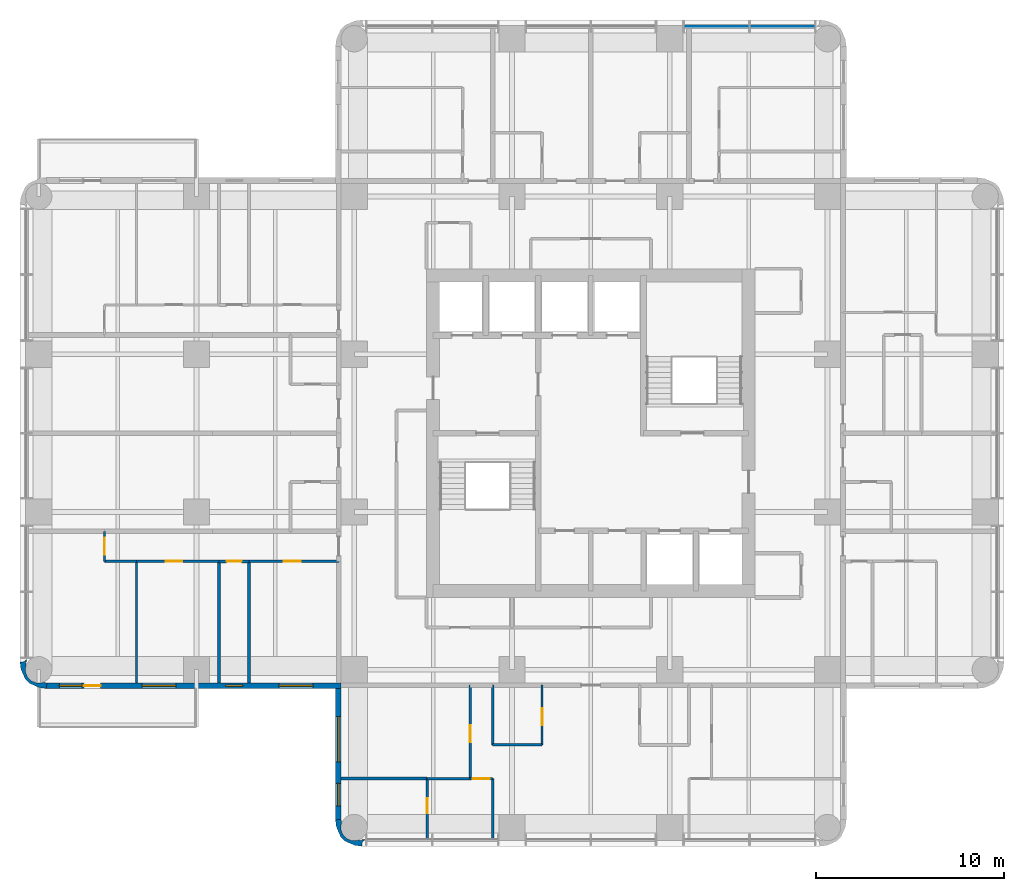
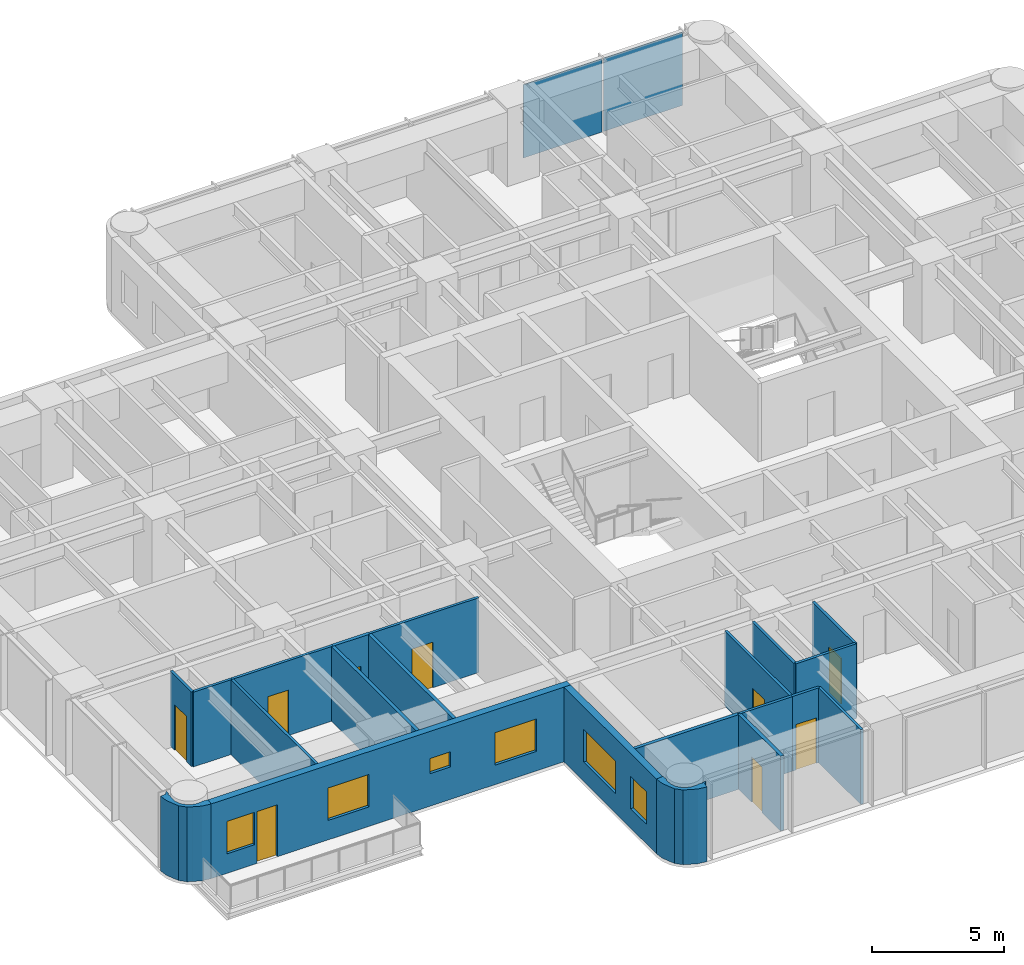
# One storey, part 4 of 11: 21 walls, 9 doors, 6 windows, 2 plates, 15 openings, 1 element without a shape of its own.
"""IFC4 building model written with IfcOpenShell, lengths in metres."""

from ifc_helpers import new_model, si_unit, direction, frame, frame_2d, origin, origin_2d, place, context, subcontext, project, spatial, polyline, rectangle, outline, extrude, material, layer, layer_set, type_object, element, fill, aggregate, save


model = new_model("IFC4")

# Units and contexts
model_context = context("Model", 3, precision=1e-05, world=origin(), true_north=direction((0.0, 1.0)))
body_context = subcontext(model_context, "Body", "Model", "MODEL_VIEW")
ifc_project = project(units=[si_unit("LENGTHUNIT", "METRE"), si_unit("AREAUNIT", "SQUARE_METRE"), si_unit("VOLUMEUNIT", "CUBIC_METRE"), si_unit("PLANEANGLEUNIT", "RADIAN"), si_unit("MASSUNIT", "GRAM", prefix="KILO")], contexts=[model_context])

# Site, building, storey
site_placement = place(None, origin())
site = spatial("IfcSite", under=ifc_project, at=site_placement, CompositionType="ELEMENT")
building_placement = place(site_placement, origin())
building = spatial("IfcBuilding", under=site, at=building_placement, Name="Torre Alcanfor", CompositionType="ELEMENT")
storey_placement = place(building_placement, frame((0.0, 0.0, 219.300048828125)))
storey = spatial("IfcBuildingStorey", under=building, at=storey_placement, Name="L57", CompositionType="ELEMENT", Elevation=219.300048828125)

# Curtain wall, plates
ifc_material_1 = material(Name="Aluminium and glass", Category="aluminium")
curtain_wall_type = type_object("IfcCurtainWallType", Name="CW-A unitised apartment glazing with vertical FIN", PredefinedType="NOTDEFINED", material=ifc_material_1)
curtain_wall_placement = place(storey_placement, origin())
curtain_wall = element("IfcCurtainWall", 1, at=curtain_wall_placement, inside=storey, type_object=curtain_wall_type, Name="Curtain wall CW-A L57 11", PredefinedType="NOTDEFINED")
ifc_material_2 = material(Name="Glass", Category="glass")
ifc_layer_1 = layer(ifc_material_2, 0.028076171875)
ifc_layer_set_1 = layer_set([ifc_layer_1], Name="CW-A clear double glazed unit")
plate_type = type_object("IfcPlateType", Name="CW-A clear double glazed unit", PredefinedType="CURTAIN_PANEL", material=ifc_layer_set_1)
plate_1_placement = place(storey_placement, frame((39.60107421875, 51.050048828125, 0.0), z_axis=(0.0, 0.0, 1.0), x_axis=(-1.0, 0.0, 0.0)))
plate_1 = element("IfcPlate", 2, at=plate_1_placement, type_object=plate_type, Name="CW-A panel 1.1.1", PredefinedType="CURTAIN_PANEL", context=body_context, shape_type="SweptSolid", body=[
    extrude(rectangle(XDim=3.444091796875, YDim=0.028076171875, at=origin_2d()), origin(), (0.0, 0.0, 1.0), 3.385009765625),
])
plate_2_placement = place(storey_placement, frame((36.092041015625, 51.050048828125, 0.0), z_axis=(0.0, 0.0, 1.0), x_axis=(-1.0, 0.0, 0.0)))
plate_2 = element("IfcPlate", 3, at=plate_2_placement, type_object=plate_type, Name="CW-A panel 1.2.1", PredefinedType="CURTAIN_PANEL", context=body_context, shape_type="SweptSolid", body=[
    extrude(rectangle(XDim=3.444091796875, YDim=0.028076171875, at=origin_2d()), origin(), (0.0, 0.0, 1.0), 3.385009765625),
])
aggregate(curtain_wall, [plate_1, plate_2])

# Wall, opening, door
ifc_material_3 = material(Name="Gypsum board on steel studs", Category="steel")
ifc_layer_2 = layer(ifc_material_3, 0.1201171875)
ifc_layer_set_2 = layer_set([ifc_layer_2], Name="Apartment partition 120")
wall_type_1 = type_object("IfcWallType", Name="Apartment partition 120", PredefinedType="PARTITIONING", material=ifc_layer_set_2)
wall_1_placement = place(storey_placement, frame((26.800048828125, 15.97509765625, 0.0), z_axis=(0.0, 0.0, 1.0), x_axis=(0.0, -1.0, 0.0)))
wall_1 = element("IfcWall", 4, at=wall_1_placement, inside=storey, type_object=wall_type_1, Name="Partition L57-SX-ZAG / L57-SX-KITCHEN", PredefinedType="PARTITIONING", context=body_context, shape_type="SweptSolid", body=[
    extrude(rectangle(XDim=3.175048828125, YDim=0.1201171875, at=frame_2d((1.58740234375, 0.0))), origin(), (0.0, 0.0, 1.0), 3.449951171875),
])
opening_1_placement = place(wall_1_placement, frame((1.22509765625, 0.0, 0.0)))
opening_1 = element("IfcOpeningElement", 5, at=opening_1_placement, cuts=wall_1, Name="Opening D-R1", PredefinedType="OPENING", context=body_context, shape_type="SweptSolid", body=[
    extrude(rectangle(XDim=0.89990234375, YDim=2.10009765625, at=frame_2d((0.449951171875, 1.050048828125))), frame((0.0, 0.070068359375, 0.0), z_axis=(0.0, -1.0, 0.0), x_axis=(1.0, 0.0, 0.0)), (0.0, 0.0, 1.0), 0.14013671875),
])
ifc_material_4 = material(Name="Timber", Category="wood")
door_type_1 = type_object("IfcDoorType", Name="Internal door 900x2100", OperationType="SINGLE_SWING_LEFT", PredefinedType="DOOR", material=ifc_material_4)
door_1_placement = place(opening_1_placement, frame((0.89990234375, 0.0, 0.0), z_axis=(0.0, 0.0, 1.0), x_axis=(-1.0, 0.0, 0.0)))
door_1 = element("IfcDoor", 6, at=door_1_placement, inside=storey, type_object=door_type_1, Name="Door L57-SX kitchen", OperationType="SINGLE_SWING_LEFT", OverallHeight=2.10009765625, OverallWidth=0.89990234375, PredefinedType="DOOR", context=body_context, shape_type="SweptSolid", body=[
    extrude(rectangle(XDim=0.89990234375, YDim=2.10009765625, at=frame_2d((0.449951171875, 1.050048828125))), frame((0.0, 0.025146484375, 0.0), z_axis=(0.0, -1.0, 0.0), x_axis=(1.0, 0.0, 0.0)), (0.0, 0.0, 1.0), 0.050048828125),
])
fill(opening_1, door_1)

# Walls
wall_2_placement = place(storey_placement, frame((24.1708984375, 15.97509765625, 0.0), z_axis=(0.0, 0.0, 1.0), x_axis=(0.0, -1.0, 0.0)))
element("IfcWall", 7, at=wall_2_placement, inside=storey, type_object=wall_type_1, Name="Partition L57-SX-KITCHEN / L57-SX-LIVING", PredefinedType="PARTITIONING", context=body_context, shape_type="SweptSolid", body=[
    extrude(rectangle(XDim=3.175048828125, YDim=0.1201171875, at=frame_2d((1.58740234375, 0.0))), origin(), (0.0, 0.0, 1.0), 3.449951171875),
])
wall_3_placement = place(storey_placement, frame((24.1708984375, 12.800048828125, 0.0), z_axis=(0.0, 0.0, 1.0), x_axis=(1.0, 0.0, 0.0)))
element("IfcWall", 8, at=wall_3_placement, inside=storey, type_object=wall_type_1, Name="Partition L57-SX-KITCHEN / L57-SX-LIVING", PredefinedType="PARTITIONING", context=body_context, shape_type="SweptSolid", body=[
    extrude(rectangle(XDim=2.629150390625, YDim=0.1201171875, at=frame_2d((1.314453125, 0.0))), origin(), (0.0, 0.0, 1.0), 3.449951171875),
])

# Wall, opening, door
wall_4_placement = place(storey_placement, frame((22.970947265625, 11.0, 0.0), z_axis=(0.0, 0.0, 1.0), x_axis=(0.0, 1.0, 0.0)))
wall_4 = element("IfcWall", 9, at=wall_4_placement, inside=storey, type_object=wall_type_1, Name="Partition L57-SX-LIVING / L57-SX-BED3", PredefinedType="PARTITIONING", context=body_context, shape_type="SweptSolid", body=[
    extrude(rectangle(XDim=4.97509765625, YDim=0.1201171875, at=frame_2d((2.487548828125, 0.0))), origin(), (0.0, 0.0, 1.0), 3.449951171875),
])
opening_2_placement = place(wall_4_placement, frame((1.949951171875, 0.0, 0.0)))
opening_2 = element("IfcOpeningElement", 10, at=opening_2_placement, cuts=wall_4, Name="Opening D-R1", PredefinedType="OPENING", context=body_context, shape_type="SweptSolid", body=[
    extrude(rectangle(XDim=0.89990234375, YDim=2.10009765625, at=frame_2d((0.449951171875, 1.050048828125))), frame((0.0, 0.070068359375, 0.0), z_axis=(0.0, -1.0, 0.0), x_axis=(1.0, 0.0, 0.0)), (0.0, 0.0, 1.0), 0.14013671875),
])
door_2_placement = place(opening_2_placement, origin())
door_2 = element("IfcDoor", 11, at=door_2_placement, inside=storey, type_object=door_type_1, Name="Door L57-SX bed3", OperationType="SINGLE_SWING_LEFT", OverallHeight=2.10009765625, OverallWidth=0.89990234375, PredefinedType="DOOR", context=body_context, shape_type="SweptSolid", body=[
    extrude(rectangle(XDim=0.89990234375, YDim=2.10009765625, at=frame_2d((0.449951171875, 1.050048828125))), frame((0.0, 0.02490234375, 0.0), z_axis=(0.0, -1.0, 0.0), x_axis=(1.0, 0.0, 0.0)), (0.0, 0.0, 1.0), 0.050048828125),
])
fill(opening_2, door_2)

# Wall
wall_5_placement = place(storey_placement, frame((24.1708984375, 7.75, 0.0), z_axis=(0.0, 0.0, 1.0), x_axis=(0.0, 1.0, 0.0)))
element("IfcWall", 12, at=wall_5_placement, inside=storey, type_object=wall_type_1, Name="Partition L57-SX-LIVING / L57-SX-BED1", PredefinedType="PARTITIONING", context=body_context, shape_type="SweptSolid", body=[
    extrude(rectangle(XDim=3.25, YDim=0.1201171875, at=frame_2d((1.625, 0.0))), origin(), (0.0, 0.0, 1.0), 3.449951171875),
])

# Wall, opening, door
wall_6_placement = place(storey_placement, frame((24.1708984375, 11.0, 0.0), z_axis=(0.0, 0.0, 1.0), x_axis=(-1.0, 0.0, 0.0)))
wall_6 = element("IfcWall", 13, at=wall_6_placement, inside=storey, type_object=wall_type_1, Name="Partition L57-SX-LIVING / L57-SX-BED1", PredefinedType="PARTITIONING", context=body_context, shape_type="SweptSolid", body=[
    extrude(rectangle(XDim=1.199951171875, YDim=0.1201171875, at=frame_2d((0.60009765625, 0.0))), origin(), (0.0, 0.0, 1.0), 3.449951171875),
])
opening_3_placement = place(wall_6_placement, frame((0.15087890625, 0.0, 0.0)))
opening_3 = element("IfcOpeningElement", 14, at=opening_3_placement, cuts=wall_6, Name="Opening D-R1", PredefinedType="OPENING", context=body_context, shape_type="SweptSolid", body=[
    extrude(rectangle(XDim=0.89990234375, YDim=2.10009765625, at=frame_2d((0.449951171875, 1.050048828125))), frame((0.0, 0.070068359375, 0.0), z_axis=(0.0, -1.0, 0.0), x_axis=(1.0, 0.0, 0.0)), (0.0, 0.0, 1.0), 0.14013671875),
])
door_3_placement = place(opening_3_placement, origin())
door_3 = element("IfcDoor", 15, at=door_3_placement, inside=storey, type_object=door_type_1, Name="Door L57-SX bed1", OperationType="SINGLE_SWING_LEFT", OverallHeight=2.10009765625, OverallWidth=0.89990234375, PredefinedType="DOOR", context=body_context, shape_type="SweptSolid", body=[
    extrude(rectangle(XDim=0.89990234375, YDim=2.10009765625, at=frame_2d((0.449951171875, 1.050048828125))), frame((0.0, 0.02490234375, 0.0), z_axis=(0.0, -1.0, 0.0), x_axis=(1.0, 0.0, 0.0)), (0.0, 0.0, 1.0), 0.050048828125),
])
fill(opening_3, door_3)

# Wall
wall_7_placement = place(storey_placement, frame((20.68603515625, 11.0, 0.0), z_axis=(0.0, 0.0, 1.0), x_axis=(1.0, 0.0, 0.0)))
element("IfcWall", 16, at=wall_7_placement, inside=storey, type_object=wall_type_1, Name="Partition L57-SX-BED3 / L57-SX-BED1", PredefinedType="PARTITIONING", context=body_context, shape_type="SweptSolid", body=[
    extrude(rectangle(XDim=2.284912109375, YDim=0.1201171875, at=frame_2d((1.142578125, 0.0))), origin(), (0.0, 0.0, 1.0), 3.449951171875),
])

# Wall, opening, door
wall_8_placement = place(storey_placement, frame((11.199951171875, 22.571044921875, 0.0), z_axis=(0.0, 0.0, 1.0), x_axis=(1.0, 0.0, 0.0)))
wall_8 = element("IfcWall", 17, at=wall_8_placement, inside=storey, type_object=wall_type_1, Name="Partition L57-W1B-HALL / L57-W1B-MASTER", PredefinedType="PARTITIONING", context=body_context, shape_type="SweptSolid", body=[
    extrude(rectangle(XDim=4.775146484375, YDim=0.1201171875, at=frame_2d((2.3876953125, 0.0))), origin(), (0.0, 0.0, 1.0), 3.449951171875),
])
opening_4_placement = place(wall_8_placement, frame((1.85009765625, 0.0, 0.0)))
opening_4 = element("IfcOpeningElement", 18, at=opening_4_placement, cuts=wall_8, Name="Opening D-R1", PredefinedType="OPENING", context=body_context, shape_type="SweptSolid", body=[
    extrude(rectangle(XDim=0.89990234375, YDim=2.10009765625, at=frame_2d((0.449951171875, 1.050048828125))), frame((0.0, 0.070068359375, 0.0), z_axis=(0.0, -1.0, 0.0), x_axis=(1.0, 0.0, 0.0)), (0.0, 0.0, 1.0), 0.14013671875),
])
door_4_placement = place(opening_4_placement, frame((0.89990234375, 0.0, 0.0), z_axis=(0.0, 0.0, 1.0), x_axis=(-1.0, 0.0, 0.0)))
door_4 = element("IfcDoor", 19, at=door_4_placement, inside=storey, type_object=door_type_1, Name="Door L57-W1B master", OperationType="SINGLE_SWING_RIGHT", OverallHeight=2.10009765625, OverallWidth=0.89990234375, PredefinedType="DOOR", context=body_context, shape_type="SweptSolid", body=[
    extrude(rectangle(XDim=0.89990234375, YDim=2.10009765625, at=frame_2d((0.449951171875, 1.050048828125))), frame((0.0, 0.025146484375, 0.0), z_axis=(0.0, -1.0, 0.0), x_axis=(1.0, 0.0, 0.0)), (0.0, 0.0, 1.0), 0.050048828125),
])
fill(opening_4, door_4)

wall_9_placement = place(storey_placement, frame((5.199951171875, 22.571044921875, 0.0), z_axis=(0.0, 0.0, 1.0), x_axis=(1.0, 0.0, 0.0)))
wall_9 = element("IfcWall", 20, at=wall_9_placement, inside=storey, type_object=wall_type_1, Name="Partition L57-W1B-HALL / L57-W1B-STUDY", PredefinedType="PARTITIONING", context=body_context, shape_type="SweptSolid", body=[
    extrude(rectangle(XDim=4.400146484375, YDim=0.1201171875, at=frame_2d((2.2001953125, 0.0))), origin(), (0.0, 0.0, 1.0), 3.449951171875),
])
opening_5_placement = place(wall_9_placement, frame((1.550048828125, 0.0, 0.0)))
opening_5 = element("IfcOpeningElement", 21, at=opening_5_placement, cuts=wall_9, Name="Opening D-R1", PredefinedType="OPENING", context=body_context, shape_type="SweptSolid", body=[
    extrude(rectangle(XDim=0.89990234375, YDim=2.10009765625, at=frame_2d((0.449951171875, 1.050048828125))), frame((0.0, 0.070068359375, 0.0), z_axis=(0.0, -1.0, 0.0), x_axis=(1.0, 0.0, 0.0)), (0.0, 0.0, 1.0), 0.14013671875),
])
door_5_placement = place(opening_5_placement, frame((0.89990234375, 0.0, 0.0), z_axis=(0.0, 0.0, 1.0), x_axis=(-1.0, 0.0, 0.0)))
door_5 = element("IfcDoor", 22, at=door_5_placement, inside=storey, type_object=door_type_1, Name="Door L57-W1B study", OperationType="SINGLE_SWING_RIGHT", OverallHeight=2.10009765625, OverallWidth=0.89990234375, PredefinedType="DOOR", context=body_context, shape_type="SweptSolid", body=[
    extrude(rectangle(XDim=0.89990234375, YDim=2.10009765625, at=frame_2d((0.449951171875, 1.050048828125))), frame((0.0, 0.025146484375, 0.0), z_axis=(0.0, -1.0, 0.0), x_axis=(1.0, 0.0, 0.0)), (0.0, 0.0, 1.0), 0.050048828125),
])
fill(opening_5, door_5)

# Wall
wall_10_placement = place(storey_placement, frame((3.5, 22.571044921875, 0.0), z_axis=(0.0, 0.0, 1.0), x_axis=(1.0, 0.0, 0.0)))
element("IfcWall", 23, at=wall_10_placement, inside=storey, type_object=wall_type_1, Name="Partition L57-W1B-HALL / L57-W1B-KITCHEN", PredefinedType="PARTITIONING", context=body_context, shape_type="SweptSolid", body=[
    extrude(rectangle(XDim=1.699951171875, YDim=0.1201171875, at=frame_2d((0.85009765625, 0.0))), origin(), (0.0, 0.0, 1.0), 3.449951171875),
])

# Wall, opening, door
wall_11_placement = place(storey_placement, frame((3.5, 24.1708984375, 0.0), z_axis=(0.0, 0.0, 1.0), x_axis=(0.0, -1.0, 0.0)))
wall_11 = element("IfcWall", 24, at=wall_11_placement, inside=storey, type_object=wall_type_1, Name="Partition L57-W1B-HALL / L57-W1B-LIVING", PredefinedType="PARTITIONING", context=body_context, shape_type="SweptSolid", body=[
    extrude(rectangle(XDim=1.599853515625, YDim=0.1201171875, at=frame_2d((0.7998046875, 0.0))), origin(), (0.0, 0.0, 1.0), 3.449951171875),
])
opening_6_placement = place(wall_11_placement, frame((0.35009765625, 0.0, 0.0)))
opening_6 = element("IfcOpeningElement", 25, at=opening_6_placement, cuts=wall_11, Name="Opening D-R1", PredefinedType="OPENING", context=body_context, shape_type="SweptSolid", body=[
    extrude(rectangle(XDim=0.89990234375, YDim=2.10009765625, at=frame_2d((0.449951171875, 1.050048828125))), frame((0.0, 0.070068359375, 0.0), z_axis=(0.0, -1.0, 0.0), x_axis=(1.0, 0.0, 0.0)), (0.0, 0.0, 1.0), 0.14013671875),
])
door_6_placement = place(opening_6_placement, frame((0.89990234375, 0.0, 0.0), z_axis=(0.0, 0.0, 1.0), x_axis=(-1.0, 0.0, 0.0)))
door_6 = element("IfcDoor", 26, at=door_6_placement, inside=storey, type_object=door_type_1, Name="Door L57-W1B living", OperationType="SINGLE_SWING_RIGHT", OverallHeight=2.10009765625, OverallWidth=0.89990234375, PredefinedType="DOOR", context=body_context, shape_type="SweptSolid", body=[
    extrude(rectangle(XDim=0.89990234375, YDim=2.10009765625, at=frame_2d((0.449951171875, 1.050048828125))), frame((0.0, 0.025146484375, 0.0), z_axis=(0.0, -1.0, 0.0), x_axis=(1.0, 0.0, 0.0)), (0.0, 0.0, 1.0), 0.050048828125),
])
fill(opening_6, door_6)

# Wall
wall_12_placement = place(storey_placement, frame((5.199951171875, 22.571044921875, 0.0), z_axis=(0.0, 0.0, 1.0), x_axis=(0.0, -1.0, 0.0)))
element("IfcWall", 27, at=wall_12_placement, inside=storey, type_object=wall_type_1, Name="Partition L57-W1B-STUDY / L57-W1B-KITCHEN", PredefinedType="PARTITIONING", context=body_context, shape_type="SweptSolid", body=[
    extrude(rectangle(XDim=6.470947265625, YDim=0.1201171875, at=frame_2d((3.2353515625, 0.0))), origin(), (0.0, 0.0, 1.0), 3.449951171875),
])

# Wall, openings, door, windows
ifc_material_5 = material(Name="Limestone cladding", Category="masonry")
ifc_layer_3 = layer(ifc_material_5, 0.0400390625, Name="Facing")
ifc_material_6 = material(Name="Ventilated air cavity")
ifc_layer_4 = layer(ifc_material_6, 0.02001953125, ventilated=True, Name="Ventilated joint")
ifc_material_7 = material(Name="Mineral wool insulation", Category="insulation")
ifc_layer_5 = layer(ifc_material_7, 0.10009765625, Name="Insulation")
ifc_material_8 = material(Name="Concrete f'c 35 MPa", Category="concrete")
ifc_layer_6 = layer(ifc_material_8, 0.139892578125, Name="Backing")
ifc_layer_set_3 = layer_set([ifc_layer_3, ifc_layer_4, ifc_layer_5, ifc_layer_6], Name="External wall stone-clad 300")
wall_type_2 = type_object("IfcWallType", Name="External wall stone-clad 300", PredefinedType="SOLIDWALL", material=ifc_layer_set_3)
wall_13_placement = place(storey_placement, frame((0.39990234375, 15.949951171875, 0.0), z_axis=(0.0, 0.0, 1.0), x_axis=(1.0, 0.0, 0.0)))
wall_13 = element("IfcWall", 28, at=wall_13_placement, inside=storey, type_object=wall_type_2, Name="External wall L57 3", PredefinedType="SOLIDWALL", context=body_context, shape_type="SweptSolid", body=[
    extrude(rectangle(XDim=15.7001953125, YDim=0.300048828125, at=frame_2d((7.85009765625, 0.0))), origin(), (0.0, 0.0, 1.0), 3.449951171875),
])
opening_7_placement = place(wall_13_placement, frame((12.39990234375, 0.0, 0.89990234375)))
opening_7 = element("IfcOpeningElement", 29, at=opening_7_placement, cuts=wall_13, Name="Opening W2", PredefinedType="OPENING", context=body_context, shape_type="SweptSolid", body=[
    extrude(rectangle(XDim=1.800048828125, YDim=1.5, at=frame_2d((0.89990234375, 0.75))), frame((0.0, 0.159912109375, 0.0), z_axis=(0.0, -1.0, 0.0), x_axis=(1.0, 0.0, 0.0)), (0.0, 0.0, 1.0), 0.320068359375),
])
opening_8_placement = place(wall_13_placement, frame((9.550048828125, 0.0, 1.5)))
opening_8 = element("IfcOpeningElement", 30, at=opening_8_placement, cuts=wall_13, Name="Opening W3", PredefinedType="OPENING", context=body_context, shape_type="SweptSolid", body=[
    extrude(rectangle(XDim=0.89990234375, YDim=0.699951171875, at=frame_2d((0.449951171875, 0.35009765625))), frame((0.0, 0.159912109375, 0.0), z_axis=(0.0, -1.0, 0.0), x_axis=(1.0, 0.0, 0.0)), (0.0, 0.0, 1.0), 0.320068359375),
])
opening_9_placement = place(wall_13_placement, frame((5.10009765625, 0.0, 0.89990234375)))
opening_9 = element("IfcOpeningElement", 31, at=opening_9_placement, cuts=wall_13, Name="Opening W2", PredefinedType="OPENING", context=body_context, shape_type="SweptSolid", body=[
    extrude(rectangle(XDim=1.800048828125, YDim=1.5, at=frame_2d((0.89990234375, 0.75))), frame((0.0, 0.159912109375, 0.0), z_axis=(0.0, -1.0, 0.0), x_axis=(1.0, 0.0, 0.0)), (0.0, 0.0, 1.0), 0.320068359375),
])
opening_10_placement = place(wall_13_placement, frame((2.0, 0.0, 0.0)))
opening_10 = element("IfcOpeningElement", 32, at=opening_10_placement, cuts=wall_13, Name="Opening D-B1", PredefinedType="OPENING", context=body_context, shape_type="SweptSolid", body=[
    extrude(rectangle(XDim=0.89990234375, YDim=2.39990234375, at=frame_2d((0.449951171875, 1.199951171875))), frame((0.0, 0.159912109375, 0.0), z_axis=(0.0, -1.0, 0.0), x_axis=(1.0, 0.0, 0.0)), (0.0, 0.0, 1.0), 0.320068359375),
])
opening_11_placement = place(wall_13_placement, frame((0.699951171875, 0.0, 0.89990234375)))
opening_11 = element("IfcOpeningElement", 33, at=opening_11_placement, cuts=wall_13, Name="Opening W4", PredefinedType="OPENING", context=body_context, shape_type="SweptSolid", body=[
    extrude(rectangle(XDim=1.199951171875, YDim=1.5, at=frame_2d((0.60009765625, 0.75))), frame((0.0, 0.159912109375, 0.0), z_axis=(0.0, -1.0, 0.0), x_axis=(1.0, 0.0, 0.0)), (0.0, 0.0, 1.0), 0.320068359375),
])
ifc_material_9 = material(Name="Aluminium and glass", Category="aluminium")
door_type_2 = type_object("IfcDoorType", Name="Balcony door glazed 900x2400", OperationType="SINGLE_SWING_LEFT", PredefinedType="DOOR", material=ifc_material_9)
door_7_placement = place(opening_10_placement, origin())
door_7 = element("IfcDoor", 34, at=door_7_placement, inside=storey, type_object=door_type_2, Name="Balcony door L57-W1", OperationType="SINGLE_SWING_RIGHT", OverallHeight=2.39990234375, OverallWidth=0.89990234375, PredefinedType="DOOR", context=body_context, shape_type="SweptSolid", body=[
    extrude(rectangle(XDim=0.89990234375, YDim=2.39990234375, at=frame_2d((0.449951171875, 1.199951171875))), frame((0.0, 0.02490234375, 0.0), z_axis=(0.0, -1.0, 0.0), x_axis=(1.0, 0.0, 0.0)), (0.0, 0.0, 1.0), 0.050048828125),
])
fill(opening_10, door_7)
ifc_material_10 = material(Name="Aluminium frame with clear double glazing", Category="aluminium")
window_type_1 = type_object("IfcWindowType", Name="Window bathroom 900x700", PartitioningType="SINGLE_PANEL", PredefinedType="WINDOW", material=ifc_material_10)
window_1_placement = place(opening_8_placement, origin())
window_1 = element("IfcWindow", 35, at=window_1_placement, inside=storey, type_object=window_type_1, Name="Window W3 L57-W1", OverallHeight=0.699951171875, OverallWidth=0.89990234375, PartitioningType="SINGLE_PANEL", PredefinedType="WINDOW", context=body_context, shape_type="SweptSolid", body=[
    extrude(rectangle(XDim=0.89990234375, YDim=0.699951171875, at=frame_2d((0.449951171875, 0.35009765625))), frame((0.0, 0.030029296875, 0.0), z_axis=(0.0, -1.0, 0.0), x_axis=(1.0, 0.0, 0.0)), (0.0, 0.0, 1.0), 0.06005859375),
])
fill(opening_8, window_1)
ifc_material_11 = material(Name="Aluminium frame with clear double glazing", Category="aluminium")
window_type_2 = type_object("IfcWindowType", Name="Window bedroom 1200x1500", PartitioningType="SINGLE_PANEL", PredefinedType="WINDOW", material=ifc_material_11)
window_2_placement = place(opening_11_placement, origin())
window_2 = element("IfcWindow", 36, at=window_2_placement, inside=storey, type_object=window_type_2, Name="Window W4 L57-W1", OverallHeight=1.5, OverallWidth=1.199951171875, PartitioningType="SINGLE_PANEL", PredefinedType="WINDOW", context=body_context, shape_type="SweptSolid", body=[
    extrude(rectangle(XDim=1.199951171875, YDim=1.5, at=frame_2d((0.60009765625, 0.75))), frame((0.0, 0.030029296875, 0.0), z_axis=(0.0, -1.0, 0.0), x_axis=(1.0, 0.0, 0.0)), (0.0, 0.0, 1.0), 0.06005859375),
])
fill(opening_11, window_2)
ifc_material_12 = material(Name="Aluminium frame with clear double glazing", Category="aluminium")
window_type_3 = type_object("IfcWindowType", Name="Window bedroom 1800x1500", PartitioningType="SINGLE_PANEL", PredefinedType="WINDOW", material=ifc_material_12)
window_3_placement = place(opening_7_placement, origin())
window_3 = element("IfcWindow", 37, at=window_3_placement, inside=storey, type_object=window_type_3, Name="Window W2 L57-W1", OverallHeight=1.5, OverallWidth=1.800048828125, PartitioningType="SINGLE_PANEL", PredefinedType="WINDOW", context=body_context, shape_type="SweptSolid", body=[
    extrude(rectangle(XDim=1.800048828125, YDim=1.5, at=frame_2d((0.89990234375, 0.75))), frame((0.0, 0.030029296875, 0.0), z_axis=(0.0, -1.0, 0.0), x_axis=(1.0, 0.0, 0.0)), (0.0, 0.0, 1.0), 0.06005859375),
])
fill(opening_7, window_3)
window_4_placement = place(opening_9_placement, origin())
window_4 = element("IfcWindow", 38, at=window_4_placement, inside=storey, type_object=window_type_3, Name="Window W2 L57-W1", OverallHeight=1.5, OverallWidth=1.800048828125, PartitioningType="SINGLE_PANEL", PredefinedType="WINDOW", context=body_context, shape_type="SweptSolid", body=[
    extrude(rectangle(XDim=1.800048828125, YDim=1.5, at=frame_2d((0.89990234375, 0.75))), frame((0.0, 0.030029296875, 0.0), z_axis=(0.0, -1.0, 0.0), x_axis=(1.0, 0.0, 0.0)), (0.0, 0.0, 1.0), 0.06005859375),
])
fill(opening_9, window_4)

# Wall, openings, windows
wall_14_placement = place(storey_placement, frame((15.949951171875, 15.800048828125, 0.0), z_axis=(0.0, 0.0, 1.0), x_axis=(0.0, -1.0, 0.0)))
wall_14 = element("IfcWall", 39, at=wall_14_placement, inside=storey, type_object=wall_type_2, Name="External wall L57 4", PredefinedType="SOLIDWALL", context=body_context, shape_type="SweptSolid", body=[
    extrude(rectangle(XDim=7.0, YDim=0.300048828125, at=frame_2d((3.5, 0.0))), origin(), (0.0, 0.0, 1.0), 3.449951171875),
])
opening_12_placement = place(wall_14_placement, frame((1.5, 0.0, 0.89990234375)))
opening_12 = element("IfcOpeningElement", 40, at=opening_12_placement, cuts=wall_14, Name="Opening W1", PredefinedType="OPENING", context=body_context, shape_type="SweptSolid", body=[
    extrude(rectangle(XDim=2.39990234375, YDim=1.5, at=frame_2d((1.199951171875, 0.75))), frame((0.0, 0.159912109375, 0.0), z_axis=(0.0, -1.0, 0.0), x_axis=(1.0, 0.0, 0.0)), (0.0, 0.0, 1.0), 0.320068359375),
])
opening_13_placement = place(wall_14_placement, frame((5.050048828125, 0.0, 0.89990234375)))
opening_13 = element("IfcOpeningElement", 41, at=opening_13_placement, cuts=wall_14, Name="Opening W4", PredefinedType="OPENING", context=body_context, shape_type="SweptSolid", body=[
    extrude(rectangle(XDim=1.199951171875, YDim=1.5, at=frame_2d((0.60009765625, 0.75))), frame((0.0, 0.159912109375, 0.0), z_axis=(0.0, -1.0, 0.0), x_axis=(1.0, 0.0, 0.0)), (0.0, 0.0, 1.0), 0.320068359375),
])
window_5_placement = place(opening_13_placement, origin())
window_5 = element("IfcWindow", 42, at=window_5_placement, inside=storey, type_object=window_type_2, Name="Window W4 L57-S2", OverallHeight=1.5, OverallWidth=1.199951171875, PartitioningType="SINGLE_PANEL", PredefinedType="WINDOW", context=body_context, shape_type="SweptSolid", body=[
    extrude(rectangle(XDim=1.199951171875, YDim=1.5, at=frame_2d((0.60009765625, 0.75))), frame((0.0, 0.030029296875, 0.0), z_axis=(0.0, -1.0, 0.0), x_axis=(1.0, 0.0, 0.0)), (0.0, 0.0, 1.0), 0.06005859375),
])
fill(opening_13, window_5)
ifc_material_13 = material(Name="Aluminium frame with clear double glazing", Category="aluminium")
window_type_4 = type_object("IfcWindowType", Name="Window bedroom 2400x1500", PartitioningType="SINGLE_PANEL", PredefinedType="WINDOW", material=ifc_material_13)
window_6_placement = place(opening_12_placement, origin())
window_6 = element("IfcWindow", 43, at=window_6_placement, inside=storey, type_object=window_type_4, Name="Window W1 L57-S2", OverallHeight=1.5, OverallWidth=2.39990234375, PartitioningType="SINGLE_PANEL", PredefinedType="WINDOW", context=body_context, shape_type="SweptSolid", body=[
    extrude(rectangle(XDim=2.39990234375, YDim=1.5, at=frame_2d((1.199951171875, 0.75))), frame((0.0, 0.030029296875, 0.0), z_axis=(0.0, -1.0, 0.0), x_axis=(1.0, 0.0, 0.0)), (0.0, 0.0, 1.0), 0.06005859375),
])
fill(opening_12, window_6)

# Walls
ifc_layer_7 = layer(ifc_material_5, 0.0400390625, Name="Facing")
ifc_layer_8 = layer(ifc_material_6, 0.02001953125, ventilated=True, Name="Ventilated joint")
ifc_layer_9 = layer(ifc_material_7, 0.10009765625, Name="Insulation")
ifc_layer_10 = layer(ifc_material_8, 0.139892578125, Name="Backing")
ifc_layer_set_4 = layer_set([ifc_layer_7, ifc_layer_8, ifc_layer_9, ifc_layer_10], Name="Rounded corner pier stone-clad 300")
wall_type_3 = type_object("IfcWallType", Name="Rounded corner pier stone-clad 300", PredefinedType="SOLIDWALL", material=ifc_layer_set_4)
wall_15_placement = place(storey_placement, frame((-0.58815184, 17.312325495, 0.0), z_axis=(0.0, 0.0, 1.0), x_axis=(-0.898030234854, -0.439933741929, 0.0)))
element("IfcWall", 44, at=wall_15_placement, inside=storey, type_object=wall_type_3, Name="Corner pier L57 14", PredefinedType="SOLIDWALL", context=body_context, shape_type="SweptSolid", body=[
    extrude(outline(polyline([(-0.22200099779214466, 1.7927485446039917), (-0.3895203988851006, 1.5406953482066268), (-0.3717615001977944, 1.5319954866108696), (-0.1946893371505769, 1.4145296087243977), (-0.1196378565013686, 1.4095707271395082), (0.13074069042336733, 1.2869134192092004), (0.31532782000916126, 1.0776826467218847), (0.4055826710323692, 0.8140749979758074), (0.38797260783771476, 0.5356152877148042), (0.26531529990740693, 0.28523674079006817), (0.2089410932617622, 0.23564484500123395), (0.1476439801012907, 0.052805298357783616), (0.1048910758540722, 0.07374940960682917), (0.03174779503048235, -0.07555688676422617), (0.13758283616273645, -0.03932073839803114), (0.18192415361672865, -0.0004176855725517292), (0.4192893563182328, -0.08027036234769044), (0.5359265089611867, 0.2660343125058281), (0.55884082549336, 0.63079452952945), (0.5546362328412097, 0.6510690852705474), (0.5662389797265355, 0.8356887018617073), (0.45562482097298596, 1.1592927954286232), (0.3331931039366845, 1.297838781078767), (0.32408874086174466, 1.3164357373584665), (0.08241545456328281, 1.5906055834666009), (-0.22200099779214466, 1.7927485446039917)])), origin(), (0.0, 0.0, 1.0), 3.449951171875),
])
wall_16_placement = place(storey_placement, frame((16.075788181, 8.689684728, 0.0), z_axis=(0.0, 0.0, 1.0), x_axis=(-0.439933741929, -0.898030234854, 0.0)))
element("IfcWall", 45, at=wall_16_placement, inside=storey, type_object=wall_type_3, Name="Corner pier L57 15", PredefinedType="SOLIDWALL", context=body_context, shape_type="SweptSolid", body=[
    extrude(outline(polyline([(0.6637063463257242, 1.5769511452868783), (0.42612189796141386, 1.4969910628130267), (0.381999826170228, 1.536001521337219), (0.2761647850379738, 1.5722376697034142), (0.3493080658615637, 1.4229313733323588), (0.391841724445976, 1.4437680788826912), (0.45335808326925375, 1.261035937937954), (0.5097322899148984, 1.2114440421491197), (0.6323895978452062, 0.9610654952243838), (0.6499996610398608, 0.6826057849633805), (0.5595255643538466, 0.4188907305185901), (0.37515768043085884, 0.20976736372998736), (0.1247791335061229, 0.08711005579967954), (0.04972765285691469, 0.0821511742147902), (-0.1273445101903028, -0.035314703671681595), (-0.14532265454041515, -0.04412197096615204), (0.02219674655254064, -0.2961751673635169), (0.3266131989079681, -0.09403220622612604), (0.56828648520643, 0.18013763988200826), (0.5776100939441761, 0.19884200186042086), (0.6998225653176713, 0.33728058181185155), (0.810655969734027, 0.6609920810774806), (0.7990532228487013, 0.8456116976686404), (0.8030385698380452, 0.8657788477110249), (0.7801242533058719, 1.2305390647346468), (0.6637063463257242, 1.5769511452868783)])), origin(), (0.0, 0.0, 1.0), 3.449951171875),
])
ifc_material_14 = material(Name="Cement board on steel studs", Category="steel")
ifc_layer_11 = layer(ifc_material_14, 0.14990234375)
ifc_layer_set_5 = layer_set([ifc_layer_11], Name="Wet area partition 150")
wall_type_4 = type_object("IfcWallType", Name="Wet area partition 150", PredefinedType="PARTITIONING", material=ifc_layer_set_5)
wall_17_placement = place(storey_placement, frame((16.10009765625, 11.0, 0.0), z_axis=(0.0, 0.0, 1.0), x_axis=(1.0, 0.0, 0.0)))
element("IfcWall", 46, at=wall_17_placement, inside=storey, type_object=wall_type_4, Name="Partition L57-SX-BED3 / L57-SX-BATH1", PredefinedType="PARTITIONING", context=body_context, shape_type="SweptSolid", body=[
    extrude(rectangle(XDim=4.5859375, YDim=0.14990234375, at=frame_2d((2.29296875, 0.0))), origin(), (0.0, 0.0, 1.0), 3.449951171875),
])

# Wall, opening, door
wall_18_placement = place(storey_placement, frame((20.68603515625, 7.75, 0.0), z_axis=(0.0, 0.0, 1.0), x_axis=(0.0, 1.0, 0.0)))
wall_18 = element("IfcWall", 47, at=wall_18_placement, inside=storey, type_object=wall_type_4, Name="Partition L57-SX-BATH1 / L57-SX-BED1", PredefinedType="PARTITIONING", context=body_context, shape_type="SweptSolid", body=[
    extrude(rectangle(XDim=3.25, YDim=0.14990234375, at=frame_2d((1.625, 0.0))), origin(), (0.0, 0.0, 1.0), 3.449951171875),
])
opening_14_placement = place(wall_18_placement, frame((1.39990234375, 0.0, 0.0)))
opening_14 = element("IfcOpeningElement", 48, at=opening_14_placement, cuts=wall_18, Name="Opening D-R2", PredefinedType="OPENING", context=body_context, shape_type="SweptSolid", body=[
    extrude(rectangle(XDim=0.800048828125, YDim=2.10009765625, at=frame_2d((0.39990234375, 1.050048828125))), frame((0.0, 0.0849609375, 0.0), z_axis=(0.0, -1.0, 0.0), x_axis=(1.0, 0.0, 0.0)), (0.0, 0.0, 1.0), 0.169921875),
])
ifc_material_15 = material(Name="Timber", Category="wood")
door_type_3 = type_object("IfcDoorType", Name="Bathroom door 800x2100", OperationType="SINGLE_SWING_LEFT", PredefinedType="DOOR", material=ifc_material_15)
door_8_placement = place(opening_14_placement, frame((0.800048828125, 0.0, 0.0), z_axis=(0.0, 0.0, 1.0), x_axis=(-1.0, 0.0, 0.0)))
door_8 = element("IfcDoor", 49, at=door_8_placement, inside=storey, type_object=door_type_3, Name="Door L57-SX bath1", OperationType="SINGLE_SWING_LEFT", OverallHeight=2.10009765625, OverallWidth=0.800048828125, PredefinedType="DOOR", context=body_context, shape_type="SweptSolid", body=[
    extrude(rectangle(XDim=0.800048828125, YDim=2.10009765625, at=frame_2d((0.400146484375, 1.050048828125))), frame((0.0, 0.025146484375, 0.0), z_axis=(0.0, -1.0, 0.0), x_axis=(1.0, 0.0, 0.0)), (0.0, 0.0, 1.0), 0.050048828125),
])
fill(opening_14, door_8)

wall_19_placement = place(storey_placement, frame((9.60009765625, 22.571044921875, 0.0), z_axis=(0.0, 0.0, 1.0), x_axis=(1.0, 0.0, 0.0)))
wall_19 = element("IfcWall", 50, at=wall_19_placement, inside=storey, type_object=wall_type_4, Name="Partition L57-W1B-HALL / L57-W1B-BATH", PredefinedType="PARTITIONING", context=body_context, shape_type="SweptSolid", body=[
    extrude(rectangle(XDim=1.599853515625, YDim=0.14990234375, at=frame_2d((0.7998046875, 0.0))), origin(), (0.0, 0.0, 1.0), 3.449951171875),
])
opening_15_placement = place(wall_19_placement, frame((0.39990234375, 0.0, 0.0)))
opening_15 = element("IfcOpeningElement", 51, at=opening_15_placement, cuts=wall_19, Name="Opening D-R2", PredefinedType="OPENING", context=body_context, shape_type="SweptSolid", body=[
    extrude(rectangle(XDim=0.800048828125, YDim=2.10009765625, at=frame_2d((0.39990234375, 1.050048828125))), frame((0.0, 0.0849609375, 0.0), z_axis=(0.0, -1.0, 0.0), x_axis=(1.0, 0.0, 0.0)), (0.0, 0.0, 1.0), 0.169921875),
])
door_9_placement = place(opening_15_placement, frame((0.800048828125, 0.0, 0.0), z_axis=(0.0, 0.0, 1.0), x_axis=(-1.0, 0.0, 0.0)))
door_9 = element("IfcDoor", 52, at=door_9_placement, inside=storey, type_object=door_type_3, Name="Door L57-W1B bath", OperationType="SINGLE_SWING_RIGHT", OverallHeight=2.10009765625, OverallWidth=0.800048828125, PredefinedType="DOOR", context=body_context, shape_type="SweptSolid", body=[
    extrude(rectangle(XDim=0.800048828125, YDim=2.10009765625, at=frame_2d((0.400146484375, 1.050048828125))), frame((0.0, 0.025146484375, 0.0), z_axis=(0.0, -1.0, 0.0), x_axis=(1.0, 0.0, 0.0)), (0.0, 0.0, 1.0), 0.050048828125),
])
fill(opening_15, door_9)

# Walls
for number, where, z_axis, x_axis, name in (
    (53, (11.199951171875, 22.571044921875, 0.0), (0.0, 0.0, 1.0), (0.0, -1.0, 0.0), "Partition L57-W1B-MASTER / L57-W1B-BATH"),
    (54, (9.60009765625, 22.571044921875, 0.0), (0.0, 0.0, 1.0), (0.0, -1.0, 0.0), "Partition L57-W1B-BATH / L57-W1B-STUDY"),
):
    element("IfcWall", number, at=place(storey_placement, frame(where, z_axis=z_axis, x_axis=x_axis)), inside=storey, type_object=wall_type_4, Name=name, PredefinedType="PARTITIONING", context=body_context, shape_type="SweptSolid", body=[
        extrude(rectangle(XDim=6.470947265625, YDim=0.14990234375, at=frame_2d((3.2353515625, 0.0))), origin(), (0.0, 0.0, 1.0), 3.449951171875),
    ])

save(model, "model.ifc")
